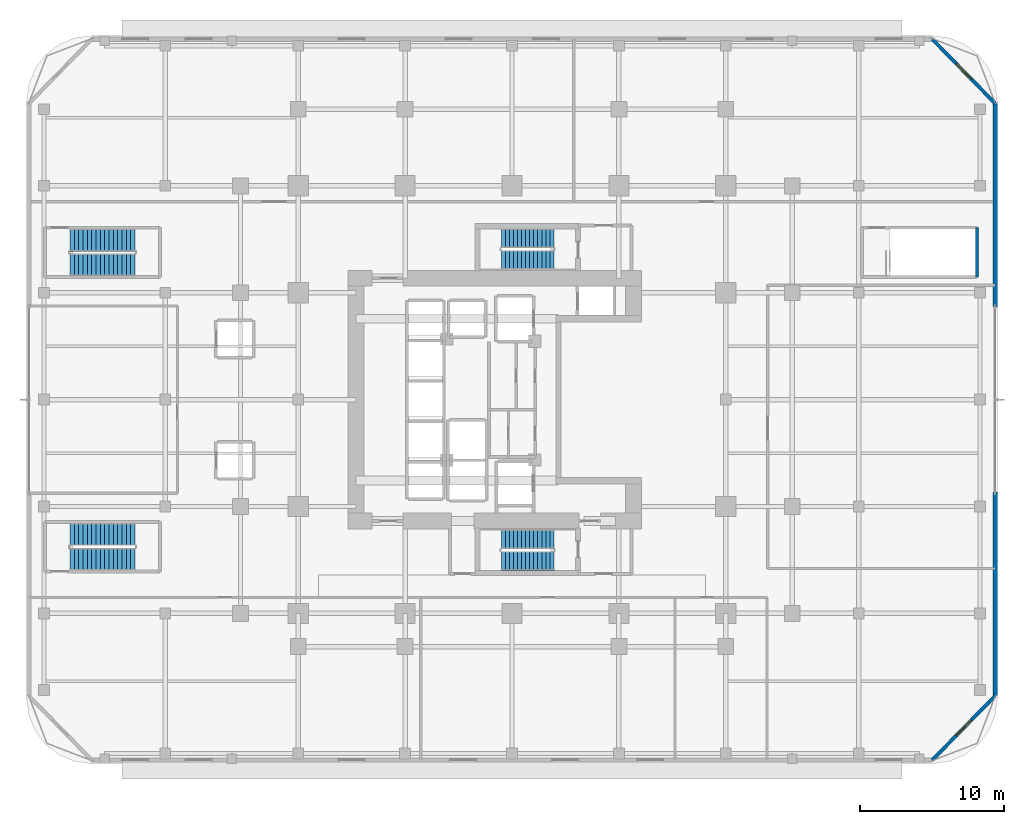
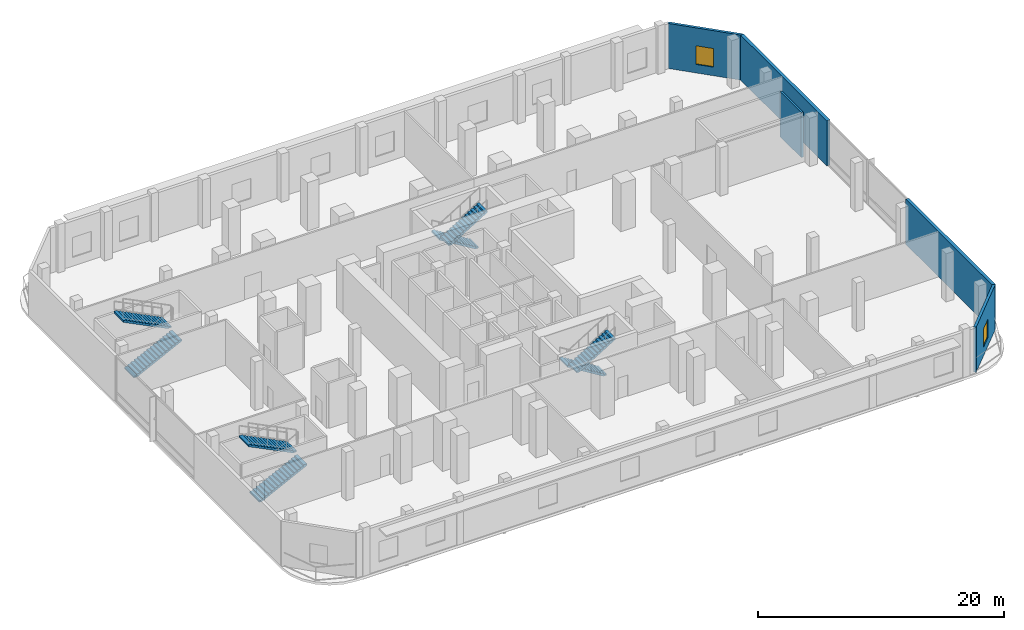
# One storey, part 12 of 19: 8 stair flights, 5 walls, 2 windows, 2 openings, 4 elements without a shape of their own.
"""IFC4 building model written with IfcOpenShell, lengths in metres."""

import ifcopenshell
import ifcopenshell.guid

model = None  # the IFC model being written
_history = None  # IfcOwnerHistory: only IFC2X3 demands one
_inside = {}  # id of a spatial element -> (the spatial element, [elements in it])
_under = {}  # id of a project, library or spatial element -> (it, [spatial elements below it])
_declared = {}  # id of a project -> (the project, [libraries it declares])
_typed = {}  # id of a type object -> (the type object, [elements of that type])
_made_of = {}  # id of a material, layer set ... -> (it, [elements and type objects made of it])


def new_model(schema):
    """Start an empty IFC model of exactly this schema.

    Asked for "IFC4X3", IfcOpenShell would pick the latest addendum, in which some entities
    have other attributes; the version numbers below select the first issue.
    IFC2X3 requires an IfcOwnerHistory on every rooted entity: one is made here for all.
    """
    global model, _history
    if schema == "IFC4X3":
        model = ifcopenshell.file(schema_version=(4, 3, 0, 0))
    else:
        model = ifcopenshell.file(schema=schema)
    _inside.clear()
    _under.clear()
    _declared.clear()
    _typed.clear()
    _made_of.clear()
    _history = None
    if model.schema == "IFC2X3":
        org = make("IfcOrganization", Name="unknown")
        user = make(
            "IfcPersonAndOrganization",
            ThePerson=make("IfcPerson", FamilyName="unknown"),
            TheOrganization=org,
        )
        app = make(
            "IfcApplication",
            ApplicationDeveloper=org,
            Version="unknown",
            ApplicationFullName="unknown",
            ApplicationIdentifier="unknown",
        )
        _history = make(
            "IfcOwnerHistory",
            OwningUser=user,
            OwningApplication=app,
            ChangeAction="ADDED",
            CreationDate=0,
        )
    return model


def make(cls, **values):
    """One entity of the class cls with the attributes given. An attribute that is None is left unset."""
    return model.create_entity(
        cls, **{name: value for name, value in values.items() if value is not None}
    )


def rooted(cls, **values):
    """An entity with a GlobalId (a new one), such as an element, a storey or a relation."""
    return make(cls, GlobalId=ifcopenshell.guid.new(), OwnerHistory=_history, **values)


def si_unit(unit_type, name, prefix=None):
    """IfcSIUnit, for example si_unit("LENGTHUNIT", "METRE", prefix="MILLI")."""
    return make("IfcSIUnit", UnitType=unit_type, Prefix=prefix, Name=name)


def assignment(units):
    """IfcUnitAssignment: the units of a project."""
    return None if units is None else make("IfcUnitAssignment", Units=units)


def point(xyz):
    """IfcCartesianPoint."""
    return None if xyz is None else make("IfcCartesianPoint", Coordinates=xyz)


def direction(xyz):
    """IfcDirection."""
    return None if xyz is None else make("IfcDirection", DirectionRatios=xyz)


def frame(location, z_axis=None, x_axis=None):
    """IfcAxis2Placement3D, a coordinate frame: its origin and axes. An axis left out is left unset."""
    return make(
        "IfcAxis2Placement3D",
        Location=point(location),
        Axis=direction(z_axis),
        RefDirection=direction(x_axis),
    )


def frame_2d(location, x_axis=None):
    """IfcAxis2Placement2D, a coordinate frame in the plane: its origin and x axis."""
    return make(
        "IfcAxis2Placement2D", Location=point(location), RefDirection=direction(x_axis)
    )


def origin():
    """The frame at (0, 0, 0) with its axes left unset."""
    return frame((0.0, 0.0, 0.0))


def place(relative_to, where):
    """IfcLocalPlacement: puts the frame where relative to a parent placement (None: the world)."""
    return make(
        "IfcLocalPlacement", PlacementRelTo=relative_to, RelativePlacement=where
    )


def context(
    kind, dimensions, precision=None, world=None, true_north=None, identifier=None
):
    """IfcGeometricRepresentationContext, for example the 3D "Model" context."""
    return make(
        "IfcGeometricRepresentationContext",
        ContextIdentifier=identifier,
        ContextType=kind,
        CoordinateSpaceDimension=dimensions,
        Precision=precision,
        WorldCoordinateSystem=world,
        TrueNorth=true_north,
    )


def subcontext(parent, identifier, kind, view, scale=None):
    """IfcGeometricRepresentationSubContext, for example "Body" below "Model"."""
    return make(
        "IfcGeometricRepresentationSubContext",
        ContextIdentifier=identifier,
        ContextType=kind,
        ParentContext=parent,
        TargetScale=scale,
        TargetView=view,
    )


def project(units=None, contexts=None):
    """IfcProject with its units and contexts."""
    return rooted(
        "IfcProject",
        Name="project",
        RepresentationContexts=contexts,
        UnitsInContext=assignment(units),
    )


def spatial(cls, under=None, at=None, **own):
    """A site, building, storey or space (cls), placed at a placement, below another one or the project."""
    s = rooted(cls, ObjectPlacement=at, **own)
    if under is not None:
        _under.setdefault(under.id(), (under, []))[1].append(s)
    return s


def polyline(points):
    """IfcPolyline through the points."""
    return make("IfcPolyline", Points=[point(p) for p in points])


def profile(cls, at=None, kind="AREA", **sizes):
    """A parametric profile (cls). Its sizes go by their IFC names, for example OverallWidth=200.0."""
    return make(cls, ProfileType=kind, Position=at, **sizes)


def rectangle(**sizes):
    """IfcRectangleProfileDef."""
    return profile("IfcRectangleProfileDef", **sizes)


def outline(outer, holes=None, kind="AREA"):
    """IfcArbitraryClosedProfileDef: a profile drawn as a closed curve; with holes, ...WithVoids."""
    if holes is None:
        return make("IfcArbitraryClosedProfileDef", ProfileType=kind, OuterCurve=outer)
    return make(
        "IfcArbitraryProfileDefWithVoids",
        ProfileType=kind,
        OuterCurve=outer,
        InnerCurves=holes,
    )


def extrude(swept, where, along, depth):
    """IfcExtrudedAreaSolid: the profile swept, set in the frame where, extruded along a direction by depth."""
    return make(
        "IfcExtrudedAreaSolid",
        SweptArea=swept,
        Position=where,
        ExtrudedDirection=direction(along),
        Depth=depth,
    )


def shape(context_of_items, identifier, shape_type, items):
    """IfcShapeRepresentation: the items that make up one representation, for example the "Body"."""
    return make(
        "IfcShapeRepresentation",
        ContextOfItems=context_of_items,
        RepresentationIdentifier=identifier,
        RepresentationType=shape_type,
        Items=items,
    )


def material(Name=None, Category=None):
    """IfcMaterial."""
    return make("IfcMaterial", Name=Name, Category=Category)


def layer(
    of_material, thickness, ventilated=None, Name=None, Category=None, Priority=None
):
    """IfcMaterialLayer: one layer of a wall or slab, of a material (None: an air gap)."""
    return make(
        "IfcMaterialLayer",
        Material=of_material,
        LayerThickness=thickness,
        IsVentilated=ventilated,
        Name=Name,
        Category=Category,
        Priority=Priority,
    )


def layer_set(layers, Name=None):
    """IfcMaterialLayerSet."""
    return make("IfcMaterialLayerSet", MaterialLayers=layers, LayerSetName=Name)


def made_of(thing, what):
    """Note that an element or type object is made of a material, layer set ...; save() writes the relation."""
    if what is not None:
        _made_of.setdefault(what.id(), (what, []))[1].append(thing)
    return thing


def type_object(cls, material=None, **own):
    """A type object (cls), such as IfcWallType, which elements share."""
    return made_of(rooted(cls, **own), material)


def element(
    cls,
    number,
    at=None,
    inside=None,
    cuts=None,
    type_object=None,
    material=None,
    context=None,
    identifier="Body",
    shape_type=None,
    held_by="IfcProductDefinitionShape",
    body=None,
    shapes=None,
    **own,
):
    """One element of the class cls, such as IfcWall. Its Tag is "e" and its number.

    at: its placement. inside: the storey or other place that contains it. cuts: it is an
    opening in that element (IfcRelVoidsElement). A single representation is given by context,
    identifier, shape_type and body (its items); several are given by shapes. held_by: the class
    of the entity that holds the representations. save() writes the other relations.
    """
    e = rooted(cls, Tag="e%d" % number, ObjectPlacement=at, **own)
    if body is not None:
        shapes = [shape(context, identifier, shape_type, body)]
    if shapes is not None:
        e.Representation = make(held_by, Representations=shapes)
    if inside is not None:
        _inside.setdefault(inside.id(), (inside, []))[1].append(e)
    if cuts is not None:
        rooted(
            "IfcRelVoidsElement", RelatingBuildingElement=cuts, RelatedOpeningElement=e
        )
    if type_object is not None:
        _typed.setdefault(type_object.id(), (type_object, []))[1].append(e)
    return made_of(e, material)


def fill(opening, filler):
    """IfcRelFillsElement: the door or window that sits in an opening."""
    return rooted(
        "IfcRelFillsElement",
        RelatingOpeningElement=opening,
        RelatedBuildingElement=filler,
    )


def aggregate(whole, parts):
    """IfcRelAggregates: a whole, such as a stair, and the parts it consists of."""
    return rooted("IfcRelAggregates", RelatingObject=whole, RelatedObjects=parts)


def save(model, path):
    """Write the relations noted so far, then the file.

    IfcRelAggregates (storeys below a building ...), IfcRelContainedInSpatialStructure (elements
    in a storey), IfcRelDefinesByType, IfcRelAssociatesMaterial and IfcRelDeclares: one each for
    every whole, place, type object, material and project.
    """
    for whole, parts in _under.values():
        aggregate(whole, parts)
    for where, things in _inside.values():
        rooted(
            "IfcRelContainedInSpatialStructure",
            RelatedElements=things,
            RelatingStructure=where,
        )
    for kind, things in _typed.values():
        rooted("IfcRelDefinesByType", RelatedObjects=things, RelatingType=kind)
    for what, things in _made_of.values():
        rooted("IfcRelAssociatesMaterial", RelatedObjects=things, RelatingMaterial=what)
    for by, libraries in _declared.values():
        rooted("IfcRelDeclares", RelatingContext=by, RelatedDefinitions=libraries)
    model.write(path)


model = new_model("IFC4")

# Units and contexts
model_context = context("Model", 3, precision=1e-05, world=origin(), true_north=direction((0.0, 1.0)))
body_context = subcontext(model_context, "Body", "Model", "MODEL_VIEW")
ifc_project = project(units=[si_unit("LENGTHUNIT", "METRE"), si_unit("AREAUNIT", "SQUARE_METRE"), si_unit("VOLUMEUNIT", "CUBIC_METRE"), si_unit("PLANEANGLEUNIT", "RADIAN"), si_unit("MASSUNIT", "GRAM", prefix="KILO")], contexts=[model_context])

# Site, building, storey
site_placement = place(None, origin())
site = spatial("IfcSite", under=ifc_project, at=site_placement, CompositionType="ELEMENT")
building_placement = place(site_placement, origin())
building = spatial("IfcBuilding", under=site, at=building_placement, Name="Khorvyn Point Tower", CompositionType="ELEMENT")
storey_placement = place(building_placement, frame((0.0, 0.0, 21.60009765625)))
storey = spatial("IfcBuildingStorey", under=building, at=storey_placement, Name="L06", CompositionType="ELEMENT", Elevation=21.60009765625)

# Wall, opening, window
ifc_material_1 = material(Name="Pale anodised aluminium rainscreen on steel stud", Category="steel")
ifc_layer_1 = layer(ifc_material_1, 0.239990234375)
ifc_layer_set_1 = layer_set([ifc_layer_1], Name="Anodised Aluminium Insulated Corner Spandrel Wall 240")
wall_type_1 = type_object("IfcWallType", Name="Anodised Aluminium Insulated Corner Spandrel Wall 240", PredefinedType="SOLIDWALL", material=ifc_layer_set_1)
wall_1_placement = place(storey_placement, frame((29.10009765625, 24.949951171875, 0.0), z_axis=(0.0, 0.0, 1.0), x_axis=(0.69901822973, -0.715103848756, 0.0)))
wall_1 = element("IfcWall", 1, at=wall_1_placement, inside=storey, type_object=wall_type_1, Name="L06 Rounded Corner Wall NE", PredefinedType="SOLIDWALL", context=body_context, shape_type="SweptSolid", body=[
    extrude(rectangle(XDim=6.222900390625, YDim=0.239990234375, at=frame_2d((3.111328125, 0.0))), origin(), (0.0, 0.0, 1.0), 4.47998046875),
])
opening_1_placement = place(wall_1_placement, frame((2.361572265625, 0.0, 0.85009765625)))
opening_1 = element("IfcOpeningElement", 2, at=opening_1_placement, cuts=wall_1, Name="Opening WN-1518", PredefinedType="OPENING", context=body_context, shape_type="SweptSolid", body=[
    extrude(rectangle(XDim=1.5, YDim=1.85009765625, at=frame_2d((0.75, 0.925048828125))), frame((0.0, 0.1298828125, 0.0), z_axis=(0.0, -1.0, 0.0), x_axis=(1.0, 0.0, 0.0)), (0.0, 0.0, 1.0), 0.260009765625),
])
ifc_material_2 = material(Name="Anodised aluminium 6063-T6 and laminated Low-E glass", Category="aluminium")
window_type = type_object("IfcWindowType", Name="Anodised Aluminium Rounded-Corner Panoramic Window 1500x1850", PartitioningType="SINGLE_PANEL", PredefinedType="WINDOW", material=ifc_material_2)
window_1_placement = place(opening_1_placement, origin())
window_1 = element("IfcWindow", 3, at=window_1_placement, inside=storey, type_object=window_type, Name="L06 Corner Window NE", OverallHeight=1.85009765625, OverallWidth=1.5, PartitioningType="SINGLE_PANEL", PredefinedType="WINDOW", context=body_context, shape_type="SweptSolid", body=[
    extrude(rectangle(XDim=1.5, YDim=1.85009765625, at=frame_2d((0.75, 0.925048828125))), frame((0.0, 0.030029296875, 0.0), z_axis=(0.0, -1.0, 0.0), x_axis=(1.0, 0.0, 0.0)), (0.0, 0.0, 1.0), 0.06005859375),
])
fill(opening_1, window_1)

wall_2_placement = place(storey_placement, frame((33.449951171875, -20.5, 0.0), z_axis=(0.0, 0.0, 1.0), x_axis=(-0.69901822973, -0.715103848756, 0.0)))
wall_2 = element("IfcWall", 4, at=wall_2_placement, inside=storey, type_object=wall_type_1, Name="L06 Rounded Corner Wall SE", PredefinedType="SOLIDWALL", context=body_context, shape_type="SweptSolid", body=[
    extrude(rectangle(XDim=6.222900390625, YDim=0.239990234375, at=frame_2d((3.111328125, 0.0))), origin(), (0.0, 0.0, 1.0), 4.47998046875),
])
opening_2_placement = place(wall_2_placement, frame((2.361572265625, 0.0, 0.85009765625)))
opening_2 = element("IfcOpeningElement", 5, at=opening_2_placement, cuts=wall_2, Name="Opening WN-1518", PredefinedType="OPENING", context=body_context, shape_type="SweptSolid", body=[
    extrude(rectangle(XDim=1.5, YDim=1.85009765625, at=frame_2d((0.75, 0.925048828125))), frame((0.0, 0.1298828125, 0.0), z_axis=(0.0, -1.0, 0.0), x_axis=(1.0, 0.0, 0.0)), (0.0, 0.0, 1.0), 0.260009765625),
])
window_2_placement = place(opening_2_placement, origin())
window_2 = element("IfcWindow", 6, at=window_2_placement, inside=storey, type_object=window_type, Name="L06 Corner Window SE", OverallHeight=1.85009765625, OverallWidth=1.5, PartitioningType="SINGLE_PANEL", PredefinedType="WINDOW", context=body_context, shape_type="SweptSolid", body=[
    extrude(rectangle(XDim=1.5, YDim=1.85009765625, at=frame_2d((0.75, 0.925048828125))), frame((0.0, 0.030029296875, 0.0), z_axis=(0.0, -1.0, 0.0), x_axis=(1.0, 0.0, 0.0)), (0.0, 0.0, 1.0), 0.06005859375),
])
fill(opening_2, window_2)

# Walls
ifc_material_3 = material(Name="Concrete C40/50", Category="concrete")
ifc_layer_2 = layer(ifc_material_3, 0.199951171875)
ifc_layer_set_2 = layer_set([ifc_layer_2], Name="Concrete C40/50 Structural Hoistway and Stair Shaft Wall 200")
wall_type_2 = type_object("IfcWallType", Name="Concrete C40/50 Structural Hoistway and Stair Shaft Wall 200", PredefinedType="SHEAR", material=ifc_layer_set_2)
wall_3_placement = place(storey_placement, frame((32.179931640625, 11.89990234375, 0.0), z_axis=(0.0, 0.0, 1.0), x_axis=(0.0, -1.0, 0.0)))
element("IfcWall", 7, at=wall_3_placement, inside=storey, type_object=wall_type_2, Name="Wall", PredefinedType="SHEAR", context=body_context, shape_type="SweptSolid", body=[
    extrude(rectangle(XDim=3.419921875, YDim=0.199951171875, at=frame_2d((1.7099609375, 0.0))), origin(), (0.0, 0.0, 1.0), 4.47998046875),
])
ifc_material_4 = material(Name="Precast concrete C35/45", Category="concrete")
ifc_layer_3 = layer(ifc_material_4, 0.300048828125)
ifc_layer_set_3 = layer_set([ifc_layer_3], Name="Precast Concrete C35/45 Insulated Podium Facade Wall 300")
wall_type_3 = type_object("IfcWallType", Name="Precast Concrete C35/45 Insulated Podium Facade Wall 300", PredefinedType="SOLIDWALL", material=ifc_layer_set_3)
for number, where, z_axis, x_axis, name in (
    (8, (33.449951171875, -20.5, 0.0), (0.0, 0.0, 1.0), (0.0, 1.0, 0.0), "Wall"),
    (9, (33.449951171875, 6.409912109375, 0.0), (0.0, 0.0, 1.0), (0.0, 1.0, 0.0), "Wall"),
):
    element("IfcWall", number, at=place(storey_placement, frame(where, z_axis=z_axis, x_axis=x_axis)), inside=storey, type_object=wall_type_3, Name=name, PredefinedType="SOLIDWALL", context=body_context, shape_type="SweptSolid", body=[
        extrude(rectangle(XDim=14.090087890625, YDim=0.300048828125, at=frame_2d((7.044921875, 0.0))), origin(), (0.0, 0.0, 1.0), 4.47998046875),
    ])

# Stair, stair flights
stair_type_1 = type_object("IfcStairType", Name="School Podium Concrete C40/50 Wide Exit Stair", PredefinedType="HALF_TURN_STAIR", material=ifc_material_3)
stair_1_placement = place(storey_placement, origin())
stair_1 = element("IfcStair", 10, at=stair_1_placement, inside=storey, type_object=stair_type_1, Name="L06 School Podium Smokeproof Stair Southwest", PredefinedType="HALF_TURN_STAIR")
stair_flight_type_1 = type_object("IfcStairFlightType", Name="School Podium Concrete C40/50 Gentle-Riser Flight", PredefinedType="STRAIGHT", material=ifc_material_3)
stair_flight_1_placement = place(storey_placement, frame((-30.60009765625, -11.044921875, 0.0), z_axis=(0.0, 0.0, 1.0), x_axis=(1.0, 0.0, 0.0)))
stair_flight_1 = element("IfcStairFlight", 11, at=stair_flight_1_placement, type_object=stair_flight_type_1, Name="ST-S1 flight 1", NumberOfRisers=16, NumberOfTreads=15, PredefinedType="STRAIGHT", RiserHeight=0.15, TreadLength=0.3, context=body_context, shape_type="SweptSolid", body=[
    extrude(outline(polyline([(0.0, 0.0), (0.0, 0.14990234375), (0.300048828125, 0.14990234375), (0.300048828125, 0.300048828125), (0.60009765625, 0.300048828125), (0.60009765625, 0.449951171875), (0.89990234375, 0.449951171875), (0.89990234375, 0.60009765625), (1.199951171875, 0.60009765625), (1.199951171875, 0.75), (1.5, 0.75), (1.5, 0.89990234375), (1.800048828125, 0.89990234375), (1.800048828125, 1.050048828125), (2.10009765625, 1.050048828125), (2.10009765625, 1.199951171875), (2.39990234375, 1.199951171875), (2.39990234375, 1.35009765625), (2.699951171875, 1.35009765625), (2.699951171875, 1.5), (3.0, 1.5), (3.0, 1.64990234375), (3.300048828125, 1.64990234375), (3.300048828125, 1.800048828125), (3.60009765625, 1.800048828125), (3.60009765625, 1.949951171875), (3.89990234375, 1.949951171875), (3.89990234375, 2.10009765625), (4.199951171875, 2.10009765625), (4.199951171875, 2.25), (4.5, 2.25), (4.5, 2.39990234375), (4.5, 2.08251953125), (0.335205078125, 0.0), (0.0, 0.0)])), frame((0.0, 0.77490234375, 0.0), z_axis=(0.0, -1.0, 0.0), x_axis=(1.0, 0.0, 0.0)), (0.0, 0.0, 1.0), 1.550048828125),
])
stair_flight_2_placement = place(storey_placement, frame((-26.10009765625, -9.3349609375, 2.39990234375), z_axis=(0.0, 0.0, 1.0), x_axis=(-1.0, 0.0, 0.0)))
stair_flight_2 = element("IfcStairFlight", 12, at=stair_flight_2_placement, type_object=stair_flight_type_1, Name="ST-S1 flight 2", NumberOfRisers=16, NumberOfTreads=15, PredefinedType="STRAIGHT", RiserHeight=0.15, TreadLength=0.3, context=body_context, shape_type="SweptSolid", body=[
    extrude(outline(polyline([(0.0, 0.0), (0.0, 0.14990234375), (0.300048828125, 0.14990234375), (0.300048828125, 0.300048828125), (0.60009765625, 0.300048828125), (0.60009765625, 0.449951171875), (0.89990234375, 0.449951171875), (0.89990234375, 0.60009765625), (1.199951171875, 0.60009765625), (1.199951171875, 0.75), (1.5, 0.75), (1.5, 0.89990234375), (1.800048828125, 0.89990234375), (1.800048828125, 1.050048828125), (2.10009765625, 1.050048828125), (2.10009765625, 1.199951171875), (2.39990234375, 1.199951171875), (2.39990234375, 1.35009765625), (2.699951171875, 1.35009765625), (2.699951171875, 1.5), (3.0, 1.5), (3.0, 1.64990234375), (3.300048828125, 1.64990234375), (3.300048828125, 1.800048828125), (3.60009765625, 1.800048828125), (3.60009765625, 1.949951171875), (3.89990234375, 1.949951171875), (3.89990234375, 2.10009765625), (4.199951171875, 2.10009765625), (4.199951171875, 2.25), (4.5, 2.25), (4.5, 2.39990234375), (4.5, 2.08251953125), (0.335205078125, 0.0), (0.0, 0.0)])), frame((0.0, 0.77490234375, 0.0), z_axis=(0.0, -1.0, 0.0), x_axis=(1.0, 0.0, 0.0)), (0.0, 0.0, 1.0), 1.550048828125),
])
aggregate(stair_1, [stair_flight_1, stair_flight_2])

stair_2_placement = place(storey_placement, origin())
stair_2 = element("IfcStair", 13, at=stair_2_placement, inside=storey, type_object=stair_type_1, Name="L06 School Podium Smokeproof Stair Northwest", PredefinedType="HALF_TURN_STAIR")
stair_flight_3_placement = place(storey_placement, frame((-30.60009765625, 9.3349609375, 0.0), z_axis=(0.0, 0.0, 1.0), x_axis=(1.0, 0.0, 0.0)))
stair_flight_3 = element("IfcStairFlight", 14, at=stair_flight_3_placement, type_object=stair_flight_type_1, Name="ST-S2 flight 1", NumberOfRisers=16, NumberOfTreads=15, PredefinedType="STRAIGHT", RiserHeight=0.15, TreadLength=0.3, context=body_context, shape_type="SweptSolid", body=[
    extrude(outline(polyline([(0.0, 0.0), (0.0, 0.14990234375), (0.300048828125, 0.14990234375), (0.300048828125, 0.300048828125), (0.60009765625, 0.300048828125), (0.60009765625, 0.449951171875), (0.89990234375, 0.449951171875), (0.89990234375, 0.60009765625), (1.199951171875, 0.60009765625), (1.199951171875, 0.75), (1.5, 0.75), (1.5, 0.89990234375), (1.800048828125, 0.89990234375), (1.800048828125, 1.050048828125), (2.10009765625, 1.050048828125), (2.10009765625, 1.199951171875), (2.39990234375, 1.199951171875), (2.39990234375, 1.35009765625), (2.699951171875, 1.35009765625), (2.699951171875, 1.5), (3.0, 1.5), (3.0, 1.64990234375), (3.300048828125, 1.64990234375), (3.300048828125, 1.800048828125), (3.60009765625, 1.800048828125), (3.60009765625, 1.949951171875), (3.89990234375, 1.949951171875), (3.89990234375, 2.10009765625), (4.199951171875, 2.10009765625), (4.199951171875, 2.25), (4.5, 2.25), (4.5, 2.39990234375), (4.5, 2.08251953125), (0.335205078125, 0.0), (0.0, 0.0)])), frame((0.0, 0.77490234375, 0.0), z_axis=(0.0, -1.0, 0.0), x_axis=(1.0, 0.0, 0.0)), (0.0, 0.0, 1.0), 1.550048828125),
])
stair_flight_4_placement = place(storey_placement, frame((-26.10009765625, 11.044921875, 2.39990234375), z_axis=(0.0, 0.0, 1.0), x_axis=(-1.0, 0.0, 0.0)))
stair_flight_4 = element("IfcStairFlight", 15, at=stair_flight_4_placement, type_object=stair_flight_type_1, Name="ST-S2 flight 2", NumberOfRisers=16, NumberOfTreads=15, PredefinedType="STRAIGHT", RiserHeight=0.15, TreadLength=0.3, context=body_context, shape_type="SweptSolid", body=[
    extrude(outline(polyline([(0.0, 0.0), (0.0, 0.14990234375), (0.300048828125, 0.14990234375), (0.300048828125, 0.300048828125), (0.60009765625, 0.300048828125), (0.60009765625, 0.449951171875), (0.89990234375, 0.449951171875), (0.89990234375, 0.60009765625), (1.199951171875, 0.60009765625), (1.199951171875, 0.75), (1.5, 0.75), (1.5, 0.89990234375), (1.800048828125, 0.89990234375), (1.800048828125, 1.050048828125), (2.10009765625, 1.050048828125), (2.10009765625, 1.199951171875), (2.39990234375, 1.199951171875), (2.39990234375, 1.35009765625), (2.699951171875, 1.35009765625), (2.699951171875, 1.5), (3.0, 1.5), (3.0, 1.64990234375), (3.300048828125, 1.64990234375), (3.300048828125, 1.800048828125), (3.60009765625, 1.800048828125), (3.60009765625, 1.949951171875), (3.89990234375, 1.949951171875), (3.89990234375, 2.10009765625), (4.199951171875, 2.10009765625), (4.199951171875, 2.25), (4.5, 2.25), (4.5, 2.39990234375), (4.5, 2.08251953125), (0.335205078125, 0.0), (0.0, 0.0)])), frame((0.0, 0.77490234375, 0.0), z_axis=(0.0, -1.0, 0.0), x_axis=(1.0, 0.0, 0.0)), (0.0, 0.0, 1.0), 1.550048828125),
])
aggregate(stair_2, [stair_flight_3, stair_flight_4])

stair_type_2 = type_object("IfcStairType", Name="Tower Concrete C40/50 Dogleg Exit Stair", PredefinedType="HALF_TURN_STAIR", material=ifc_material_3)
stair_3_placement = place(storey_placement, origin())
stair_3 = element("IfcStair", 16, at=stair_3_placement, inside=storey, type_object=stair_type_2, Name="L06 Tower Smokeproof Exit Stair South", PredefinedType="HALF_TURN_STAIR")
stair_flight_type_2 = type_object("IfcStairFlightType", Name="Tower Concrete C40/50 Stair Flight", PredefinedType="STRAIGHT", material=ifc_material_3)
stair_flight_5_placement = place(storey_placement, frame((2.89990234375, -9.679931640625, 0.0), z_axis=(0.0, 0.0, 1.0), x_axis=(-1.0, 0.0, 0.0)))
stair_flight_5 = element("IfcStairFlight", 17, at=stair_flight_5_placement, type_object=stair_flight_type_2, Name="ST-01 flight 1", NumberOfRisers=14, NumberOfTreads=13, PredefinedType="STRAIGHT", RiserHeight=0.171428571, TreadLength=0.28, context=body_context, shape_type="SweptSolid", body=[
    extrude(outline(polyline([(0.0, 0.0), (0.0, 0.17138671875), (0.280029296875, 0.17138671875), (0.280029296875, 0.3427734375), (0.56005859375, 0.3427734375), (0.56005859375, 0.514404296875), (0.840087890625, 0.514404296875), (0.840087890625, 0.685791015625), (1.1201171875, 0.685791015625), (1.1201171875, 0.857177734375), (1.39990234375, 0.857177734375), (1.39990234375, 1.028564453125), (1.679931640625, 1.028564453125), (1.679931640625, 1.199951171875), (1.9599609375, 1.199951171875), (1.9599609375, 1.371337890625), (2.239990234375, 1.371337890625), (2.239990234375, 1.54296875), (2.52001953125, 1.54296875), (2.52001953125, 1.71435546875), (2.800048828125, 1.71435546875), (2.800048828125, 1.8857421875), (3.080078125, 1.8857421875), (3.080078125, 2.05712890625), (3.360107421875, 2.05712890625), (3.360107421875, 2.228515625), (3.639892578125, 2.228515625), (3.639892578125, 2.39990234375), (3.639892578125, 2.052734375), (0.287109375, 0.0), (0.0, 0.0)])), frame((0.0, 0.66015625, 0.0), z_axis=(0.0, -1.0, 0.0), x_axis=(1.0, 0.0, 0.0)), (0.0, 0.0, 1.0), 1.320068359375),
])
stair_flight_6_placement = place(storey_placement, frame((-0.739990234375, -11.159912109375, 2.39990234375), z_axis=(0.0, 0.0, 1.0), x_axis=(1.0, 0.0, 0.0)))
stair_flight_6 = element("IfcStairFlight", 18, at=stair_flight_6_placement, type_object=stair_flight_type_2, Name="ST-01 flight 2", NumberOfRisers=14, NumberOfTreads=13, PredefinedType="STRAIGHT", RiserHeight=0.171428571, TreadLength=0.28, context=body_context, shape_type="SweptSolid", body=[
    extrude(outline(polyline([(0.0, 0.0), (0.0, 0.17138671875), (0.280029296875, 0.17138671875), (0.280029296875, 0.3427734375), (0.56005859375, 0.3427734375), (0.56005859375, 0.514404296875), (0.840087890625, 0.514404296875), (0.840087890625, 0.685791015625), (1.1201171875, 0.685791015625), (1.1201171875, 0.857177734375), (1.39990234375, 0.857177734375), (1.39990234375, 1.028564453125), (1.679931640625, 1.028564453125), (1.679931640625, 1.199951171875), (1.9599609375, 1.199951171875), (1.9599609375, 1.371337890625), (2.239990234375, 1.371337890625), (2.239990234375, 1.54296875), (2.52001953125, 1.54296875), (2.52001953125, 1.71435546875), (2.800048828125, 1.71435546875), (2.800048828125, 1.8857421875), (3.080078125, 1.8857421875), (3.080078125, 2.05712890625), (3.360107421875, 2.05712890625), (3.360107421875, 2.228515625), (3.639892578125, 2.228515625), (3.639892578125, 2.39990234375), (3.639892578125, 2.052734375), (0.287109375, 0.0), (0.0, 0.0)])), frame((0.0, 0.66015625, 0.0), z_axis=(0.0, -1.0, 0.0), x_axis=(1.0, 0.0, 0.0)), (0.0, 0.0, 1.0), 1.320068359375),
])
aggregate(stair_3, [stair_flight_5, stair_flight_6])

stair_4_placement = place(storey_placement, origin())
stair_4 = element("IfcStair", 19, at=stair_4_placement, inside=storey, type_object=stair_type_2, Name="L06 Tower Smokeproof Exit Stair North", PredefinedType="HALF_TURN_STAIR")
stair_flight_7_placement = place(storey_placement, frame((2.89990234375, 11.159912109375, 0.0), z_axis=(0.0, 0.0, 1.0), x_axis=(-1.0, 0.0, 0.0)))
stair_flight_7 = element("IfcStairFlight", 20, at=stair_flight_7_placement, type_object=stair_flight_type_2, Name="ST-02 flight 1", NumberOfRisers=14, NumberOfTreads=13, PredefinedType="STRAIGHT", RiserHeight=0.171428571, TreadLength=0.28, context=body_context, shape_type="SweptSolid", body=[
    extrude(outline(polyline([(0.0, 0.0), (0.0, 0.17138671875), (0.280029296875, 0.17138671875), (0.280029296875, 0.3427734375), (0.56005859375, 0.3427734375), (0.56005859375, 0.514404296875), (0.840087890625, 0.514404296875), (0.840087890625, 0.685791015625), (1.1201171875, 0.685791015625), (1.1201171875, 0.857177734375), (1.39990234375, 0.857177734375), (1.39990234375, 1.028564453125), (1.679931640625, 1.028564453125), (1.679931640625, 1.199951171875), (1.9599609375, 1.199951171875), (1.9599609375, 1.371337890625), (2.239990234375, 1.371337890625), (2.239990234375, 1.54296875), (2.52001953125, 1.54296875), (2.52001953125, 1.71435546875), (2.800048828125, 1.71435546875), (2.800048828125, 1.8857421875), (3.080078125, 1.8857421875), (3.080078125, 2.05712890625), (3.360107421875, 2.05712890625), (3.360107421875, 2.228515625), (3.639892578125, 2.228515625), (3.639892578125, 2.39990234375), (3.639892578125, 2.052734375), (0.287109375, 0.0), (0.0, 0.0)])), frame((0.0, 0.66015625, 0.0), z_axis=(0.0, -1.0, 0.0), x_axis=(1.0, 0.0, 0.0)), (0.0, 0.0, 1.0), 1.320068359375),
])
stair_flight_8_placement = place(storey_placement, frame((-0.739990234375, 9.679931640625, 2.39990234375), z_axis=(0.0, 0.0, 1.0), x_axis=(1.0, 0.0, 0.0)))
stair_flight_8 = element("IfcStairFlight", 21, at=stair_flight_8_placement, type_object=stair_flight_type_2, Name="ST-02 flight 2", NumberOfRisers=14, NumberOfTreads=13, PredefinedType="STRAIGHT", RiserHeight=0.171428571, TreadLength=0.28, context=body_context, shape_type="SweptSolid", body=[
    extrude(outline(polyline([(0.0, 0.0), (0.0, 0.17138671875), (0.280029296875, 0.17138671875), (0.280029296875, 0.3427734375), (0.56005859375, 0.3427734375), (0.56005859375, 0.514404296875), (0.840087890625, 0.514404296875), (0.840087890625, 0.685791015625), (1.1201171875, 0.685791015625), (1.1201171875, 0.857177734375), (1.39990234375, 0.857177734375), (1.39990234375, 1.028564453125), (1.679931640625, 1.028564453125), (1.679931640625, 1.199951171875), (1.9599609375, 1.199951171875), (1.9599609375, 1.371337890625), (2.239990234375, 1.371337890625), (2.239990234375, 1.54296875), (2.52001953125, 1.54296875), (2.52001953125, 1.71435546875), (2.800048828125, 1.71435546875), (2.800048828125, 1.8857421875), (3.080078125, 1.8857421875), (3.080078125, 2.05712890625), (3.360107421875, 2.05712890625), (3.360107421875, 2.228515625), (3.639892578125, 2.228515625), (3.639892578125, 2.39990234375), (3.639892578125, 2.052734375), (0.287109375, 0.0), (0.0, 0.0)])), frame((0.0, 0.66015625, 0.0), z_axis=(0.0, -1.0, 0.0), x_axis=(1.0, 0.0, 0.0)), (0.0, 0.0, 1.0), 1.320068359375),
])
aggregate(stair_4, [stair_flight_7, stair_flight_8])

save(model, "model.ifc")
